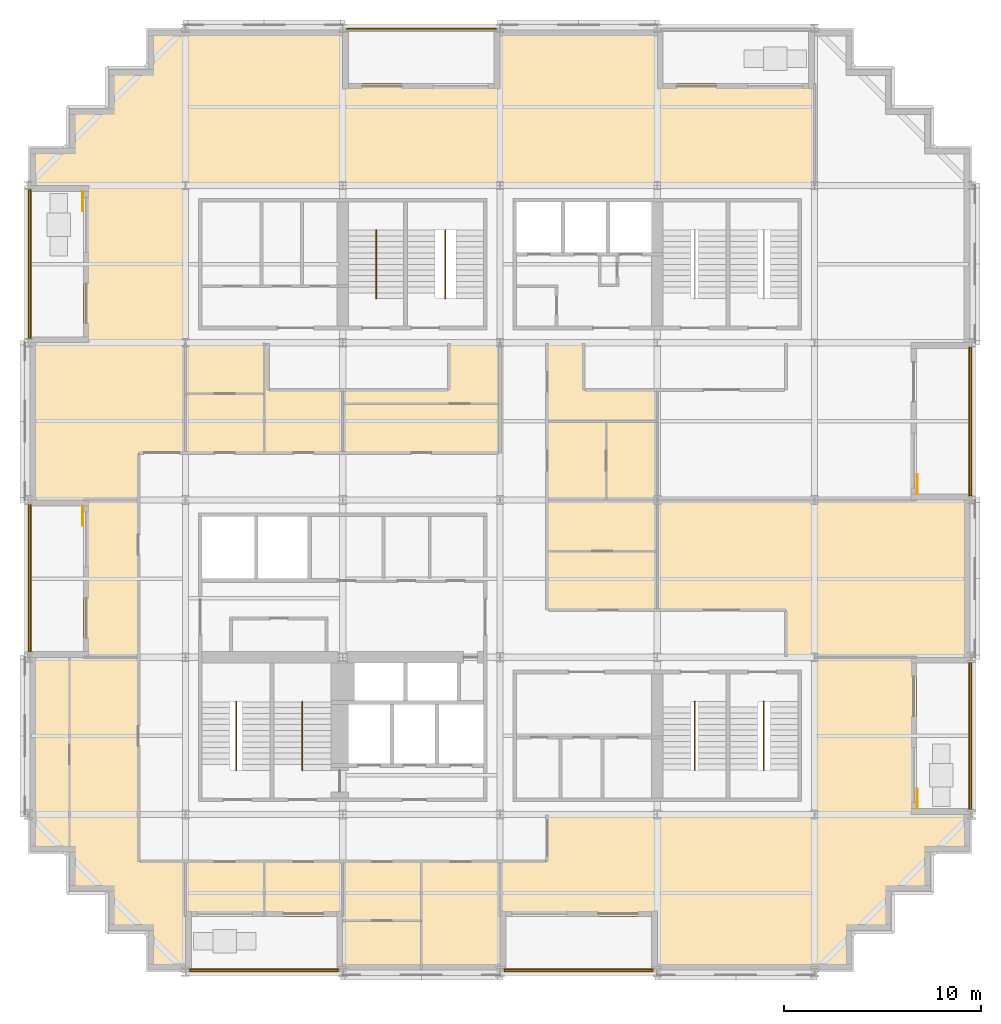
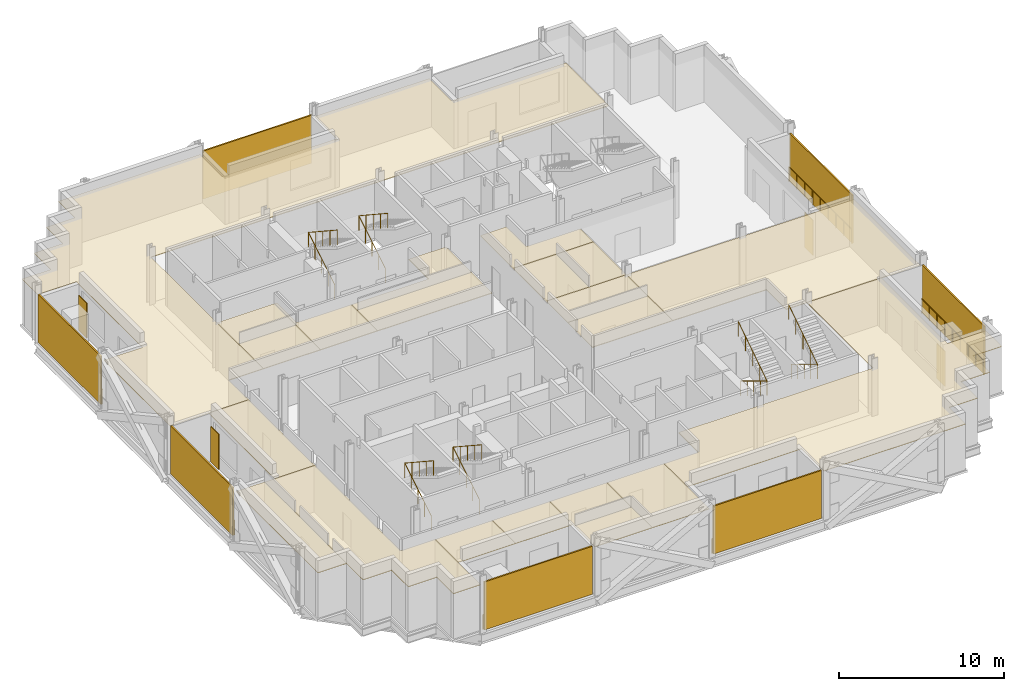
# One storey, part 11 of 13: 21 coverings, 12 railings, 11 shading devices.
"""IFC4 building model written with IfcOpenShell, lengths in metres."""

from ifc_helpers import new_model, si_unit, direction, frame, origin, origin_2d, place, context, subcontext, project, spatial, polyline, rectangle, circle, outline, extrude, material, layer, layer_set, type_object, element, save


model = new_model("IFC4")

# Units and contexts
model_context = context("Model", 3, precision=1e-05, world=origin(), true_north=direction((0.0, 1.0)))
body_context = subcontext(model_context, "Body", "Model", "MODEL_VIEW")
ifc_project = project(units=[si_unit("LENGTHUNIT", "METRE"), si_unit("AREAUNIT", "SQUARE_METRE"), si_unit("VOLUMEUNIT", "CUBIC_METRE"), si_unit("PLANEANGLEUNIT", "RADIAN"), si_unit("MASSUNIT", "GRAM", prefix="KILO")], contexts=[model_context])

# Site, building, storey
site_placement = place(None, origin())
site = spatial("IfcSite", under=ifc_project, at=site_placement, CompositionType="ELEMENT")
building_placement = place(site_placement, origin())
building = spatial("IfcBuilding", under=site, at=building_placement, Name="Immortelle Media Tower", CompositionType="ELEMENT")
storey_placement = place(building_placement, frame((0.0, 0.0, 34.800048828125)))
storey = spatial("IfcBuildingStorey", under=building, at=storey_placement, Name="L04", CompositionType="ELEMENT", Elevation=34.800048828125)

# Railings
ifc_material_1 = material(Name="Powder-coated aluminium fretwork panel, laminated glass backing", Category="aluminium")
railing_type_1 = type_object("IfcRailingType", Name="Fretwork balustrade 1100", PredefinedType="BALUSTRADE", material=ifc_material_1)
railing_1_placement = place(storey_placement, frame((0.139892578125, 39.79150390625, 0.0)))
element("IfcRailing", 1, at=railing_1_placement, inside=storey, type_object=railing_type_1, Name="Fretwork balustrade L04 W0", PredefinedType="BALUSTRADE", context=body_context, shape_type="SweptSolid", body=[
    extrude(circle(Radius=0.02490234375, at=origin_2d()), frame((0.0, 0.0, 1.0751953125), z_axis=(0.0, -1.0, 0.0), x_axis=(1.0, 0.0, 0.0)), (0.0, 0.0, 1.0), 7.574462890625),
    extrude(circle(Radius=0.02001953125, at=origin_2d()), origin(), (0.0, 0.0, 1.0), 1.050048828125),
    extrude(circle(Radius=0.02001953125, at=origin_2d()), frame((0.0, -0.94677734375, 0.0)), (0.0, 0.0, 1.0), 1.050048828125),
    extrude(circle(Radius=0.02001953125, at=origin_2d()), frame((0.0, -1.8935546875, 0.0)), (0.0, 0.0, 1.0), 1.050048828125),
    extrude(circle(Radius=0.02001953125, at=origin_2d()), frame((0.0, -2.84033203125, 0.0)), (0.0, 0.0, 1.0), 1.050048828125),
    extrude(circle(Radius=0.02001953125, at=origin_2d()), frame((0.0, -3.787109375, 0.0)), (0.0, 0.0, 1.0), 1.050048828125),
    extrude(circle(Radius=0.02001953125, at=origin_2d()), frame((0.0, -4.734130859375, 0.0)), (0.0, 0.0, 1.0), 1.050048828125),
    extrude(circle(Radius=0.02001953125, at=origin_2d()), frame((0.0, -5.680908203125, 0.0)), (0.0, 0.0, 1.0), 1.050048828125),
    extrude(circle(Radius=0.02001953125, at=origin_2d()), frame((0.0, -6.627685546875, 0.0)), (0.0, 0.0, 1.0), 1.050048828125),
    extrude(circle(Radius=0.02001953125, at=origin_2d()), frame((0.0, -7.574462890625, 0.0)), (0.0, 0.0, 1.0), 1.050048828125),
])
railing_2_placement = place(storey_placement, frame((0.139892578125, 23.782958984375, 0.0)))
element("IfcRailing", 2, at=railing_2_placement, inside=storey, type_object=railing_type_1, Name="Fretwork balustrade L04 W2", PredefinedType="BALUSTRADE", context=body_context, shape_type="SweptSolid", body=[
    extrude(circle(Radius=0.02490234375, at=origin_2d()), frame((0.0, 0.0, 1.0751953125), z_axis=(0.0, -1.0, 0.0), x_axis=(1.0, 0.0, 0.0)), (0.0, 0.0, 1.0), 7.517578125),
    extrude(circle(Radius=0.02001953125, at=origin_2d()), origin(), (0.0, 0.0, 1.0), 1.050048828125),
    extrude(circle(Radius=0.02001953125, at=origin_2d()), frame((0.0, -0.939697265625, 0.0)), (0.0, 0.0, 1.0), 1.050048828125),
    extrude(circle(Radius=0.02001953125, at=origin_2d()), frame((0.0, -1.87939453125, 0.0)), (0.0, 0.0, 1.0), 1.050048828125),
    extrude(circle(Radius=0.02001953125, at=origin_2d()), frame((0.0, -2.819091796875, 0.0)), (0.0, 0.0, 1.0), 1.050048828125),
    extrude(circle(Radius=0.02001953125, at=origin_2d()), frame((0.0, -3.7587890625, 0.0)), (0.0, 0.0, 1.0), 1.050048828125),
    extrude(circle(Radius=0.02001953125, at=origin_2d()), frame((0.0, -4.698486328125, 0.0)), (0.0, 0.0, 1.0), 1.050048828125),
    extrude(circle(Radius=0.02001953125, at=origin_2d()), frame((0.0, -5.63818359375, 0.0)), (0.0, 0.0, 1.0), 1.050048828125),
    extrude(circle(Radius=0.02001953125, at=origin_2d()), frame((0.0, -6.577880859375, 0.0)), (0.0, 0.0, 1.0), 1.050048828125),
    extrude(circle(Radius=0.02001953125, at=origin_2d()), frame((0.0, -7.517578125, 0.0)), (0.0, 0.0, 1.0), 1.050048828125),
])
railing_3_placement = place(storey_placement, frame((8.216064453125, 0.139892578125, 0.0)))
element("IfcRailing", 3, at=railing_3_placement, inside=storey, type_object=railing_type_1, Name="Fretwork balustrade L04 S0", PredefinedType="BALUSTRADE", context=body_context, shape_type="SweptSolid", body=[
    extrude(circle(Radius=0.02490234375, at=origin_2d()), frame((0.0, 0.0, 1.0751953125), z_axis=(1.0, 0.0, 0.0), x_axis=(0.0, 1.0, 0.0)), (0.0, 0.0, 1.0), 7.56298828125),
    extrude(circle(Radius=0.02001953125, at=origin_2d()), origin(), (0.0, 0.0, 1.0), 1.050048828125),
    extrude(circle(Radius=0.02001953125, at=origin_2d()), frame((0.9453125, 0.0, 0.0)), (0.0, 0.0, 1.0), 1.050048828125),
    extrude(circle(Radius=0.02001953125, at=origin_2d()), frame((1.890625, 0.0, 0.0)), (0.0, 0.0, 1.0), 1.050048828125),
    extrude(circle(Radius=0.02001953125, at=origin_2d()), frame((2.836181640625, 0.0, 0.0)), (0.0, 0.0, 1.0), 1.050048828125),
    extrude(circle(Radius=0.02001953125, at=origin_2d()), frame((3.781494140625, 0.0, 0.0)), (0.0, 0.0, 1.0), 1.050048828125),
    extrude(circle(Radius=0.02001953125, at=origin_2d()), frame((4.726806640625, 0.0, 0.0)), (0.0, 0.0, 1.0), 1.050048828125),
    extrude(circle(Radius=0.02001953125, at=origin_2d()), frame((5.67236328125, 0.0, 0.0)), (0.0, 0.0, 1.0), 1.050048828125),
    extrude(circle(Radius=0.02001953125, at=origin_2d()), frame((6.61767578125, 0.0, 0.0)), (0.0, 0.0, 1.0), 1.050048828125),
    extrude(circle(Radius=0.02001953125, at=origin_2d()), frame((7.56298828125, 0.0, 0.0)), (0.0, 0.0, 1.0), 1.050048828125),
])
railing_4_placement = place(storey_placement, frame((24.220947265625, 0.139892578125, 0.0)))
element("IfcRailing", 4, at=railing_4_placement, inside=storey, type_object=railing_type_1, Name="Fretwork balustrade L04 S2", PredefinedType="BALUSTRADE", context=body_context, shape_type="SweptSolid", body=[
    extrude(circle(Radius=0.02490234375, at=origin_2d()), frame((0.0, 0.0, 1.0751953125), z_axis=(1.0, 0.0, 0.0), x_axis=(0.0, 1.0, 0.0)), (0.0, 0.0, 1.0), 7.55810546875),
    extrude(circle(Radius=0.02001953125, at=origin_2d()), origin(), (0.0, 0.0, 1.0), 1.050048828125),
    extrude(circle(Radius=0.02001953125, at=origin_2d()), frame((0.94482421875, 0.0, 0.0)), (0.0, 0.0, 1.0), 1.050048828125),
    extrude(circle(Radius=0.02001953125, at=origin_2d()), frame((1.8896484375, 0.0, 0.0)), (0.0, 0.0, 1.0), 1.050048828125),
    extrude(circle(Radius=0.02001953125, at=origin_2d()), frame((2.834228515625, 0.0, 0.0)), (0.0, 0.0, 1.0), 1.050048828125),
    extrude(circle(Radius=0.02001953125, at=origin_2d()), frame((3.779052734375, 0.0, 0.0)), (0.0, 0.0, 1.0), 1.050048828125),
    extrude(circle(Radius=0.02001953125, at=origin_2d()), frame((4.723876953125, 0.0, 0.0)), (0.0, 0.0, 1.0), 1.050048828125),
    extrude(circle(Radius=0.02001953125, at=origin_2d()), frame((5.66845703125, 0.0, 0.0)), (0.0, 0.0, 1.0), 1.050048828125),
    extrude(circle(Radius=0.02001953125, at=origin_2d()), frame((6.61328125, 0.0, 0.0)), (0.0, 0.0, 1.0), 1.050048828125),
    extrude(circle(Radius=0.02001953125, at=origin_2d()), frame((7.55810546875, 0.0, 0.0)), (0.0, 0.0, 1.0), 1.050048828125),
])
railing_5_placement = place(storey_placement, frame((47.860107421875, 8.2490234375, 0.0)))
element("IfcRailing", 5, at=railing_5_placement, inside=storey, type_object=railing_type_1, Name="Fretwork balustrade L04 E0", PredefinedType="BALUSTRADE", context=body_context, shape_type="SweptSolid", body=[
    extrude(circle(Radius=0.02490234375, at=origin_2d()), frame((0.0, 0.0, 1.0751953125), z_axis=(0.0, 1.0, 0.0), x_axis=(-1.0, 0.0, 0.0)), (0.0, 0.0, 1.0), 7.485595703125),
    extrude(circle(Radius=0.02001953125, at=origin_2d()), origin(), (0.0, 0.0, 1.0), 1.050048828125),
    extrude(circle(Radius=0.02001953125, at=origin_2d()), frame((0.0, 0.935791015625, 0.0)), (0.0, 0.0, 1.0), 1.050048828125),
    extrude(circle(Radius=0.02001953125, at=origin_2d()), frame((0.0, 1.871337890625, 0.0)), (0.0, 0.0, 1.0), 1.050048828125),
    extrude(circle(Radius=0.02001953125, at=origin_2d()), frame((0.0, 2.80712890625, 0.0)), (0.0, 0.0, 1.0), 1.050048828125),
    extrude(circle(Radius=0.02001953125, at=origin_2d()), frame((0.0, 3.74267578125, 0.0)), (0.0, 0.0, 1.0), 1.050048828125),
    extrude(circle(Radius=0.02001953125, at=origin_2d()), frame((0.0, 4.678466796875, 0.0)), (0.0, 0.0, 1.0), 1.050048828125),
    extrude(circle(Radius=0.02001953125, at=origin_2d()), frame((0.0, 5.6142578125, 0.0)), (0.0, 0.0, 1.0), 1.050048828125),
    extrude(circle(Radius=0.02001953125, at=origin_2d()), frame((0.0, 6.5498046875, 0.0)), (0.0, 0.0, 1.0), 1.050048828125),
    extrude(circle(Radius=0.02001953125, at=origin_2d()), frame((0.0, 7.485595703125, 0.0)), (0.0, 0.0, 1.0), 1.050048828125),
])
railing_6_placement = place(storey_placement, frame((47.860107421875, 24.20849609375, 0.0)))
element("IfcRailing", 6, at=railing_6_placement, inside=storey, type_object=railing_type_1, Name="Fretwork balustrade L04 E2", PredefinedType="BALUSTRADE", context=body_context, shape_type="SweptSolid", body=[
    extrude(circle(Radius=0.02490234375, at=origin_2d()), frame((0.0, 0.0, 1.0751953125), z_axis=(0.0, 1.0, 0.0), x_axis=(-1.0, 0.0, 0.0)), (0.0, 0.0, 1.0), 7.5830078125),
    extrude(circle(Radius=0.02001953125, at=origin_2d()), origin(), (0.0, 0.0, 1.0), 1.050048828125),
    extrude(circle(Radius=0.02001953125, at=origin_2d()), frame((0.0, 0.94775390625, 0.0)), (0.0, 0.0, 1.0), 1.050048828125),
    extrude(circle(Radius=0.02001953125, at=origin_2d()), frame((0.0, 1.895751953125, 0.0)), (0.0, 0.0, 1.0), 1.050048828125),
    extrude(circle(Radius=0.02001953125, at=origin_2d()), frame((0.0, 2.84375, 0.0)), (0.0, 0.0, 1.0), 1.050048828125),
    extrude(circle(Radius=0.02001953125, at=origin_2d()), frame((0.0, 3.79150390625, 0.0)), (0.0, 0.0, 1.0), 1.050048828125),
    extrude(circle(Radius=0.02001953125, at=origin_2d()), frame((0.0, 4.7392578125, 0.0)), (0.0, 0.0, 1.0), 1.050048828125),
    extrude(circle(Radius=0.02001953125, at=origin_2d()), frame((0.0, 5.687255859375, 0.0)), (0.0, 0.0, 1.0), 1.050048828125),
    extrude(circle(Radius=0.02001953125, at=origin_2d()), frame((0.0, 6.63525390625, 0.0)), (0.0, 0.0, 1.0), 1.050048828125),
    extrude(circle(Radius=0.02001953125, at=origin_2d()), frame((0.0, 7.5830078125, 0.0)), (0.0, 0.0, 1.0), 1.050048828125),
])

# Shading devices
ifc_material_2 = material(Name="Pale aluminium louvre blades", Category="aluminium")
ifc_layer_1 = layer(ifc_material_2, 0.10009765625)
ifc_layer_set_1 = layer_set([ifc_layer_1], Name="Pale aluminium louvre blades")
shading_device_type_1 = type_object("IfcShadingDeviceType", Name="Jalousie screen 100", PredefinedType="JALOUSIE", material=ifc_layer_set_1)
shading_device_1_placement = place(storey_placement, frame((0.050048828125, 36.004150390625, 0.0), z_axis=(0.0, 0.0, 1.0), x_axis=(0.0, -1.0, 0.0)))
element("IfcShadingDevice", 7, at=shading_device_1_placement, inside=storey, type_object=shading_device_type_1, Name="Jalousie screen L04 W0", PredefinedType="JALOUSIE", context=body_context, shape_type="SweptSolid", body=[
    extrude(rectangle(XDim=7.574462890625, YDim=0.10009765625, at=origin_2d()), origin(), (0.0, 0.0, 1.0), 3.553955078125),
])
shading_device_2_placement = place(storey_placement, frame((0.050048828125, 20.024169921875, 0.0), z_axis=(0.0, 0.0, 1.0), x_axis=(0.0, -1.0, 0.0)))
element("IfcShadingDevice", 8, at=shading_device_2_placement, inside=storey, type_object=shading_device_type_1, Name="Jalousie screen L04 W2", PredefinedType="JALOUSIE", context=body_context, shape_type="SweptSolid", body=[
    extrude(rectangle(XDim=7.517578125, YDim=0.10009765625, at=origin_2d()), origin(), (0.0, 0.0, 1.0), 3.553955078125),
])
shading_device_3_placement = place(storey_placement, frame((11.99755859375, 0.050048828125, 0.0), z_axis=(0.0, 0.0, 1.0), x_axis=(1.0, 0.0, 0.0)))
element("IfcShadingDevice", 9, at=shading_device_3_placement, inside=storey, type_object=shading_device_type_1, Name="Jalousie screen L04 S0", PredefinedType="JALOUSIE", context=body_context, shape_type="SweptSolid", body=[
    extrude(rectangle(XDim=7.56298828125, YDim=0.10009765625, at=origin_2d()), origin(), (0.0, 0.0, 1.0), 3.553955078125),
])
shading_device_4_placement = place(storey_placement, frame((28.0, 0.050048828125, 0.0), z_axis=(0.0, 0.0, 1.0), x_axis=(1.0, 0.0, 0.0)))
element("IfcShadingDevice", 10, at=shading_device_4_placement, inside=storey, type_object=shading_device_type_1, Name="Jalousie screen L04 S2", PredefinedType="JALOUSIE", context=body_context, shape_type="SweptSolid", body=[
    extrude(rectangle(XDim=7.55810546875, YDim=0.10009765625, at=origin_2d()), origin(), (0.0, 0.0, 1.0), 3.553955078125),
])
shading_device_5_placement = place(storey_placement, frame((47.949951171875, 11.99169921875, 0.0), z_axis=(0.0, 0.0, 1.0), x_axis=(0.0, 1.0, 0.0)))
element("IfcShadingDevice", 11, at=shading_device_5_placement, inside=storey, type_object=shading_device_type_1, Name="Jalousie screen L04 E0", PredefinedType="JALOUSIE", context=body_context, shape_type="SweptSolid", body=[
    extrude(rectangle(XDim=7.485595703125, YDim=0.10009765625, at=origin_2d()), origin(), (0.0, 0.0, 1.0), 3.553955078125),
])
shading_device_6_placement = place(storey_placement, frame((47.949951171875, 28.0, 0.0), z_axis=(0.0, 0.0, 1.0), x_axis=(0.0, 1.0, 0.0)))
element("IfcShadingDevice", 12, at=shading_device_6_placement, inside=storey, type_object=shading_device_type_1, Name="Jalousie screen L04 E2", PredefinedType="JALOUSIE", context=body_context, shape_type="SweptSolid", body=[
    extrude(rectangle(XDim=7.5830078125, YDim=0.10009765625, at=origin_2d()), origin(), (0.0, 0.0, 1.0), 3.553955078125),
])
shading_device_7_placement = place(storey_placement, frame((20.001220703125, 47.949951171875, 0.0), z_axis=(0.0, 0.0, 1.0), x_axis=(-1.0, 0.0, 0.0)))
element("IfcShadingDevice", 13, at=shading_device_7_placement, inside=storey, type_object=shading_device_type_1, Name="Jalousie screen L04 N2", PredefinedType="JALOUSIE", context=body_context, shape_type="SweptSolid", body=[
    extrude(rectangle(XDim=7.591552734375, YDim=0.10009765625, at=origin_2d()), origin(), (0.0, 0.0, 1.0), 3.553955078125),
])
ifc_material_3 = material(Name="Pale aluminium louvre blades in a folding frame", Category="aluminium")
ifc_layer_2 = layer(ifc_material_3, 0.050048828125)
ifc_layer_set_2 = layer_set([ifc_layer_2], Name="Pale aluminium louvre blades in a folding frame")
shading_device_type_2 = type_object("IfcShadingDeviceType", Name="Louvred loggia shutter", PredefinedType="SHUTTER", material=ifc_layer_set_2)
for number, where, z_axis, x_axis, name in (
    (14, (2.77490234375, 39.199951171875, 0.0), (0.0, 0.0, 1.0), (0.0, -1.0, 0.0), "Loggia shutter L04 W0"),
    (15, (2.77490234375, 23.199951171875, 0.0), (0.0, 0.0, 1.0), (0.0, -1.0, 0.0), "Loggia shutter L04 W2"),
    (16, (45.22509765625, 8.800048828125, 0.0), (0.0, 0.0, 1.0), (0.0, 1.0, 0.0), "Loggia shutter L04 E0"),
    (17, (45.22509765625, 24.800048828125, 0.0), (0.0, 0.0, 1.0), (0.0, 1.0, 0.0), "Loggia shutter L04 E2"),
):
    element("IfcShadingDevice", number, at=place(storey_placement, frame(where, z_axis=z_axis, x_axis=x_axis)), inside=storey, type_object=shading_device_type_2, Name=name, PredefinedType="SHUTTER", context=body_context, shape_type="SweptSolid", body=[
        extrude(rectangle(XDim=1.0, YDim=0.050048828125, at=origin_2d()), origin(), (0.0, 0.0, 1.0), 2.60009765625),
    ])

# Railings
ifc_material_4 = material(Name="Stainless steel AISI 316", Category="steel")
railing_type_2 = type_object("IfcRailingType", Name="Stair guard 1100", PredefinedType="GUARDRAIL", material=ifc_material_4)
for number, where, name in (
    (18, (10.574951171875, 10.5400390625, 0.176025390625), "Stair guard SW1"),
    (19, (13.949951171875, 10.5400390625, 0.176025390625), "Stair guard SW2"),
):
    element("IfcRailing", number, at=place(storey_placement, frame(where)), inside=storey, type_object=railing_type_2, Name=name, PredefinedType="GUARDRAIL", context=body_context, shape_type="SweptSolid", body=[
        extrude(circle(Radius=0.02392578125, at=origin_2d()), frame((0.0, 0.0, 1.076171875), z_axis=(0.0, 0.854872504309, 0.518838126371), x_axis=(-1.0, 0.0, 0.0)), (0.0, 0.0, 1.0), 3.7314453125),
        extrude(circle(Radius=0.02392578125, at=origin_2d()), frame((0.0, 3.18994140625, 3.01220703125), z_axis=(0.0, -0.835595538677, 0.549345151743), x_axis=(1.0, 0.0, 0.0)), (0.0, 0.0, 1.0), 4.16455078125),
        extrude(circle(Radius=0.02099609375, at=origin_2d()), origin(), (0.0, 0.0, 1.0), 1.052001953125),
        extrude(circle(Radius=0.02099609375, at=origin_2d()), frame((0.0, 0.79736328125, 0.48388671875)), (0.0, 0.0, 1.0), 1.052001953125),
        extrude(circle(Radius=0.02099609375, at=origin_2d()), frame((0.0, 1.594970703125, 0.968017578125)), (0.0, 0.0, 1.0), 1.052001953125),
        extrude(circle(Radius=0.02099609375, at=origin_2d()), frame((0.0, 2.392578125, 1.4521484375)), (0.0, 0.0, 1.0), 1.052001953125),
        extrude(circle(Radius=0.02099609375, at=origin_2d()), frame((0.0, 3.18994140625, 1.93603515625)), (0.0, 0.0, 1.0), 1.052001953125),
        extrude(circle(Radius=0.02099609375, at=origin_2d()), frame((0.0, 2.31982421875, 2.508056640625)), (0.0, 0.0, 1.0), 1.052001953125),
        extrude(circle(Radius=0.02099609375, at=origin_2d()), frame((0.0, 1.449951171875, 3.080078125)), (0.0, 0.0, 1.0), 1.052001953125),
        extrude(circle(Radius=0.02099609375, at=origin_2d()), frame((0.0, 0.580078125, 3.65185546875)), (0.0, 0.0, 1.0), 1.052001953125),
        extrude(circle(Radius=0.02099609375, at=origin_2d()), frame((0.0, -0.2900390625, 4.223876953125)), (0.0, 0.0, 1.0), 1.052001953125),
    ])
for number, where, name in (
    (20, (33.89990234375, 13.4599609375, 0.176025390625), "Stair guard SE1"),
    (21, (37.425048828125, 13.4599609375, 0.176025390625), "Stair guard SE2"),
):
    element("IfcRailing", number, at=place(storey_placement, frame(where)), inside=storey, type_object=railing_type_2, Name=name, PredefinedType="GUARDRAIL", context=body_context, shape_type="SweptSolid", body=[
        extrude(circle(Radius=0.02392578125, at=origin_2d()), frame((0.0, 0.0, 1.076171875), z_axis=(0.0, -0.854872504309, 0.518838126371), x_axis=(1.0, 0.0, 0.0)), (0.0, 0.0, 1.0), 3.7314453125),
        extrude(circle(Radius=0.02392578125, at=origin_2d()), frame((0.0, -3.18994140625, 3.01220703125), z_axis=(0.0, 0.835595538677, 0.549345151743), x_axis=(-1.0, 0.0, 0.0)), (0.0, 0.0, 1.0), 4.16455078125),
        extrude(circle(Radius=0.02099609375, at=origin_2d()), origin(), (0.0, 0.0, 1.0), 1.052001953125),
        extrude(circle(Radius=0.02099609375, at=origin_2d()), frame((0.0, -0.79736328125, 0.48388671875)), (0.0, 0.0, 1.0), 1.052001953125),
        extrude(circle(Radius=0.02099609375, at=origin_2d()), frame((0.0, -1.594970703125, 0.968017578125)), (0.0, 0.0, 1.0), 1.052001953125),
        extrude(circle(Radius=0.02099609375, at=origin_2d()), frame((0.0, -2.392578125, 1.4521484375)), (0.0, 0.0, 1.0), 1.052001953125),
        extrude(circle(Radius=0.02099609375, at=origin_2d()), frame((0.0, -3.18994140625, 1.93603515625)), (0.0, 0.0, 1.0), 1.052001953125),
        extrude(circle(Radius=0.02099609375, at=origin_2d()), frame((0.0, -2.31982421875, 2.508056640625)), (0.0, 0.0, 1.0), 1.052001953125),
        extrude(circle(Radius=0.02099609375, at=origin_2d()), frame((0.0, -1.449951171875, 3.080078125)), (0.0, 0.0, 1.0), 1.052001953125),
        extrude(circle(Radius=0.02099609375, at=origin_2d()), frame((0.0, -0.580078125, 3.65185546875)), (0.0, 0.0, 1.0), 1.052001953125),
        extrude(circle(Radius=0.02099609375, at=origin_2d()), frame((0.0, 0.2900390625, 4.223876953125)), (0.0, 0.0, 1.0), 1.052001953125),
    ])
for number, where, name in (
    (22, (17.699951171875, 34.5400390625, 0.176025390625), "Stair guard NW1"),
    (23, (21.22509765625, 34.5400390625, 0.176025390625), "Stair guard NW2"),
):
    element("IfcRailing", number, at=place(storey_placement, frame(where)), inside=storey, type_object=railing_type_2, Name=name, PredefinedType="GUARDRAIL", context=body_context, shape_type="SweptSolid", body=[
        extrude(circle(Radius=0.02392578125, at=origin_2d()), frame((0.0, 0.0, 1.076171875), z_axis=(0.0, 0.854872504309, 0.518838126371), x_axis=(-1.0, 0.0, 0.0)), (0.0, 0.0, 1.0), 3.7314453125),
        extrude(circle(Radius=0.02392578125, at=origin_2d()), frame((0.0, 3.18994140625, 3.01220703125), z_axis=(0.0, -0.835595538677, 0.549345151743), x_axis=(1.0, 0.0, 0.0)), (0.0, 0.0, 1.0), 4.16455078125),
        extrude(circle(Radius=0.02099609375, at=origin_2d()), origin(), (0.0, 0.0, 1.0), 1.052001953125),
        extrude(circle(Radius=0.02099609375, at=origin_2d()), frame((0.0, 0.79736328125, 0.48388671875)), (0.0, 0.0, 1.0), 1.052001953125),
        extrude(circle(Radius=0.02099609375, at=origin_2d()), frame((0.0, 1.594970703125, 0.968017578125)), (0.0, 0.0, 1.0), 1.052001953125),
        extrude(circle(Radius=0.02099609375, at=origin_2d()), frame((0.0, 2.392578125, 1.4521484375)), (0.0, 0.0, 1.0), 1.052001953125),
        extrude(circle(Radius=0.02099609375, at=origin_2d()), frame((0.0, 3.18994140625, 1.93603515625)), (0.0, 0.0, 1.0), 1.052001953125),
        extrude(circle(Radius=0.02099609375, at=origin_2d()), frame((0.0, 2.31982421875, 2.508056640625)), (0.0, 0.0, 1.0), 1.052001953125),
        extrude(circle(Radius=0.02099609375, at=origin_2d()), frame((0.0, 1.449951171875, 3.080078125)), (0.0, 0.0, 1.0), 1.052001953125),
        extrude(circle(Radius=0.02099609375, at=origin_2d()), frame((0.0, 0.580078125, 3.65185546875)), (0.0, 0.0, 1.0), 1.052001953125),
        extrude(circle(Radius=0.02099609375, at=origin_2d()), frame((0.0, -0.2900390625, 4.223876953125)), (0.0, 0.0, 1.0), 1.052001953125),
    ])

# Coverings
ifc_material_5 = material(Name="Mineral fibre tile ceiling")
ifc_layer_3 = layer(ifc_material_5, 0.050048828125)
ifc_layer_set_3 = layer_set([ifc_layer_3], Name="Mineral fibre tile ceiling")
covering_type = type_object("IfcCoveringType", Name="Suspended ceiling 50", PredefinedType="CEILING", material=ifc_layer_set_3)
covering_1_placement = place(storey_placement, frame((0.0, 0.0, 3.341064453125)))
element("IfcCovering", 24, at=covering_1_placement, inside=storey, type_object=covering_type, Name="Ceiling L04-001", PredefinedType="CEILING", context=body_context, shape_type="SweptSolid", body=[
    extrude(outline(polyline([(16.0, 5.60009765625), (20.0, 5.60009765625), (20.0, 2.60009765625), (16.0, 2.60009765625), (16.0, 2.800048828125), (16.0, 5.60009765625)])), origin(), (0.0, 0.0, 1.0), 0.0498046875),
])
covering_2_placement = place(storey_placement, frame((0.0, 0.0, 3.341064453125)))
element("IfcCovering", 25, at=covering_2_placement, inside=storey, type_object=covering_type, Name="Ceiling L04-002", PredefinedType="CEILING", context=body_context, shape_type="SweptSolid", body=[
    extrude(outline(polyline([(20.0, 0.10009765625), (16.0, 0.10009765625), (16.0, 2.60009765625), (20.0, 2.60009765625), (20.0, 0.10009765625)])), origin(), (0.0, 0.0, 1.0), 0.0498046875),
])
covering_3_placement = place(storey_placement, frame((0.0, 0.0, 3.341064453125)))
element("IfcCovering", 26, at=covering_3_placement, inside=storey, type_object=covering_type, Name="Ceiling L04-003", PredefinedType="CEILING", context=body_context, shape_type="SweptSolid", body=[
    extrude(outline(polyline([(24.0, 5.60009765625), (24.0, 2.800048828125), (24.0, 0.10009765625), (20.0, 0.10009765625), (20.0, 5.60009765625), (24.0, 5.60009765625)])), origin(), (0.0, 0.0, 1.0), 0.0498046875),
])
covering_4_placement = place(storey_placement, frame((0.0, 0.0, 3.341064453125)))
element("IfcCovering", 27, at=covering_4_placement, inside=storey, type_object=covering_type, Name="Ceiling L04-004", PredefinedType="CEILING", context=body_context, shape_type="SweptSolid", body=[
    extrude(outline(polyline([(8.0, 5.60009765625), (12.0, 5.60009765625), (12.0, 2.800048828125), (8.0, 2.800048828125), (8.0, 5.60009765625)])), origin(), (0.0, 0.0, 1.0), 0.0498046875),
])
covering_5_placement = place(storey_placement, frame((0.0, 0.0, 3.341064453125)))
element("IfcCovering", 28, at=covering_5_placement, inside=storey, type_object=covering_type, Name="Ceiling L04-005", PredefinedType="CEILING", context=body_context, shape_type="SweptSolid", body=[
    extrude(outline(polyline([(16.0, 5.60009765625), (16.0, 2.800048828125), (12.0, 2.800048828125), (12.0, 5.60009765625), (16.0, 5.60009765625)])), origin(), (0.0, 0.0, 1.0), 0.0498046875),
])
covering_6_placement = place(storey_placement, frame((0.0, 0.0, 3.341064453125)))
element("IfcCovering", 29, at=covering_6_placement, inside=storey, type_object=covering_type, Name="Ceiling L04-006", PredefinedType="CEILING", context=body_context, shape_type="SweptSolid", body=[
    extrude(outline(polyline([(24.0, 5.60009765625), (26.39990234375, 5.60009765625), (26.39990234375, 8.0), (32.0, 8.0), (40.0, 8.0), (40.0, 16.0), (45.199951171875, 16.0), (45.199951171875, 8.0), (47.89990234375, 8.0), (47.89990234375, 6.10009765625), (45.89990234375, 6.10009765625), (45.89990234375, 4.10009765625), (43.89990234375, 4.10009765625), (43.89990234375, 2.10009765625), (41.89990234375, 2.10009765625), (41.89990234375, 0.10009765625), (40.0, 0.10009765625), (32.0, 0.10009765625), (32.0, 2.800048828125), (24.0, 2.800048828125), (24.0, 5.60009765625)])), origin(), (0.0, 0.0, 1.0), 0.0498046875),
])
covering_7_placement = place(storey_placement, frame((0.0, 0.0, 3.341064453125)))
element("IfcCovering", 30, at=covering_7_placement, inside=storey, type_object=covering_type, Name="Ceiling L04-007", PredefinedType="CEILING", context=body_context, shape_type="SweptSolid", body=[
    extrude(outline(polyline([(4.10009765625, 4.10009765625), (2.10009765625, 4.10009765625), (2.10009765625, 6.10009765625), (2.10009765625, 16.0), (2.800048828125, 16.0), (5.60009765625, 16.0), (5.60009765625, 8.0), (5.60009765625, 5.60009765625), (8.0, 5.60009765625), (8.0, 4.0), (8.0, 2.800048828125), (8.0, 0.10009765625), (6.10009765625, 0.10009765625), (6.10009765625, 2.10009765625), (4.10009765625, 2.10009765625), (4.10009765625, 4.0), (4.10009765625, 4.10009765625)])), origin(), (0.0, 0.0, 1.0), 0.0498046875),
])
covering_8_placement = place(storey_placement, frame((0.0, 0.0, 3.341064453125)))
element("IfcCovering", 31, at=covering_8_placement, inside=storey, type_object=covering_type, Name="Ceiling L04-008", PredefinedType="CEILING", context=body_context, shape_type="SweptSolid", body=[
    extrude(outline(polyline([(0.10009765625, 6.10009765625), (0.10009765625, 8.0), (0.10009765625, 16.0), (2.10009765625, 16.0), (2.10009765625, 6.10009765625), (0.10009765625, 6.10009765625)])), origin(), (0.0, 0.0, 1.0), 0.0498046875),
])
covering_9_placement = place(storey_placement, frame((0.0, 0.0, 3.341064453125)))
element("IfcCovering", 32, at=covering_9_placement, inside=storey, type_object=covering_type, Name="Ceiling L04-009", PredefinedType="CEILING", context=body_context, shape_type="SweptSolid", body=[
    extrude(outline(polyline([(5.60009765625, 19.449951171875), (5.60009765625, 16.0), (2.800048828125, 16.0), (2.800048828125, 24.0), (5.60009765625, 24.0), (5.60009765625, 19.449951171875)])), origin(), (0.0, 0.0, 1.0), 0.0498046875),
])
covering_10_placement = place(storey_placement, frame((0.0, 0.0, 3.341064453125)))
element("IfcCovering", 33, at=covering_10_placement, inside=storey, type_object=covering_type, Name="Ceiling L04-010", PredefinedType="CEILING", context=body_context, shape_type="SweptSolid", body=[
    extrude(outline(polyline([(38.550048828125, 16.0), (38.550048828125, 18.39990234375), (32.0, 18.39990234375), (32.0, 24.0), (40.0, 24.0), (45.199951171875, 24.0), (47.89990234375, 24.0), (47.89990234375, 16.0), (45.199951171875, 16.0), (40.0, 16.0), (38.550048828125, 16.0)])), origin(), (0.0, 0.0, 1.0), 0.0498046875),
])
covering_11_placement = place(storey_placement, frame((0.0, 0.0, 3.341064453125)))
element("IfcCovering", 34, at=covering_11_placement, inside=storey, type_object=covering_type, Name="Ceiling L04-011", PredefinedType="CEILING", context=body_context, shape_type="SweptSolid", body=[
    extrude(outline(polyline([(27.0, 18.39990234375), (26.39990234375, 18.39990234375), (26.39990234375, 19.550048828125), (26.39990234375, 21.39990234375), (32.0, 21.39990234375), (32.0, 18.39990234375), (27.0, 18.39990234375)])), origin(), (0.0, 0.0, 1.0), 0.0498046875),
])
covering_12_placement = place(storey_placement, frame((0.0, 0.0, 3.341064453125)))
element("IfcCovering", 35, at=covering_12_placement, inside=storey, type_object=covering_type, Name="Ceiling L04-012", PredefinedType="CEILING", context=body_context, shape_type="SweptSolid", body=[
    extrude(outline(polyline([(26.39990234375, 24.0), (32.0, 24.0), (32.0, 21.39990234375), (26.39990234375, 21.39990234375), (26.39990234375, 24.0)])), origin(), (0.0, 0.0, 1.0), 0.0498046875),
])
covering_13_placement = place(storey_placement, frame((0.0, 0.0, 3.341064453125)))
element("IfcCovering", 36, at=covering_13_placement, inside=storey, type_object=covering_type, Name="Ceiling L04-013", PredefinedType="CEILING", context=body_context, shape_type="SweptSolid", body=[
    extrude(outline(polyline([(29.39990234375, 28.0), (29.39990234375, 24.0), (26.39990234375, 24.0), (26.39990234375, 28.0), (29.39990234375, 28.0)])), origin(), (0.0, 0.0, 1.0), 0.0498046875),
])
covering_14_placement = place(storey_placement, frame((0.0, 0.0, 3.341064453125)))
element("IfcCovering", 37, at=covering_14_placement, inside=storey, type_object=covering_type, Name="Ceiling L04-014", PredefinedType="CEILING", context=body_context, shape_type="SweptSolid", body=[
    extrude(outline(polyline([(32.0, 28.0), (32.0, 24.0), (29.39990234375, 24.0), (29.39990234375, 28.0), (32.0, 28.0)])), origin(), (0.0, 0.0, 1.0), 0.0498046875),
])
covering_15_placement = place(storey_placement, frame((0.0, 0.0, 3.341064453125)))
element("IfcCovering", 38, at=covering_15_placement, inside=storey, type_object=covering_type, Name="Ceiling L04-015", PredefinedType="CEILING", context=body_context, shape_type="SweptSolid", body=[
    extrude(outline(polyline([(26.39990234375, 32.0), (28.25, 32.0), (28.25, 29.60009765625), (32.0, 29.60009765625), (32.0, 28.0), (26.39990234375, 28.0), (26.39990234375, 32.0)])), origin(), (0.0, 0.0, 1.0), 0.0498046875),
])
covering_16_placement = place(storey_placement, frame((0.0, 0.0, 3.341064453125)))
element("IfcCovering", 39, at=covering_16_placement, inside=storey, type_object=covering_type, Name="Ceiling L04-016", PredefinedType="CEILING", context=body_context, shape_type="SweptSolid", body=[
    extrude(outline(polyline([(16.0, 28.89990234375), (24.0, 28.89990234375), (24.0, 26.39990234375), (16.0, 26.39990234375), (16.0, 28.89990234375)])), origin(), (0.0, 0.0, 1.0), 0.0498046875),
])
covering_17_placement = place(storey_placement, frame((0.0, 0.0, 3.341064453125)))
element("IfcCovering", 40, at=covering_17_placement, inside=storey, type_object=covering_type, Name="Ceiling L04-017", PredefinedType="CEILING", context=body_context, shape_type="SweptSolid", body=[
    extrude(outline(polyline([(16.0, 29.60009765625), (21.39990234375, 29.60009765625), (21.39990234375, 32.0), (24.0, 32.0), (24.0, 28.89990234375), (16.0, 28.89990234375), (16.0, 29.60009765625)])), origin(), (0.0, 0.0, 1.0), 0.0498046875),
])
covering_18_placement = place(storey_placement, frame((0.0, 0.0, 3.341064453125)))
element("IfcCovering", 41, at=covering_18_placement, inside=storey, type_object=covering_type, Name="Ceiling L04-018", PredefinedType="CEILING", context=body_context, shape_type="SweptSolid", body=[
    extrude(outline(polyline([(12.0, 26.39990234375), (8.0, 26.39990234375), (8.0, 29.39990234375), (12.0, 29.39990234375), (12.0, 26.39990234375)])), origin(), (0.0, 0.0, 1.0), 0.0498046875),
])
covering_19_placement = place(storey_placement, frame((0.0, 0.0, 3.341064453125)))
element("IfcCovering", 42, at=covering_19_placement, inside=storey, type_object=covering_type, Name="Ceiling L04-019", PredefinedType="CEILING", context=body_context, shape_type="SweptSolid", body=[
    extrude(outline(polyline([(12.0, 32.0), (12.0, 29.39990234375), (8.0, 29.39990234375), (8.0, 32.0), (12.0, 32.0)])), origin(), (0.0, 0.0, 1.0), 0.0498046875),
])
covering_20_placement = place(storey_placement, frame((0.0, 0.0, 3.341064453125)))
element("IfcCovering", 43, at=covering_20_placement, inside=storey, type_object=covering_type, Name="Ceiling L04-020", PredefinedType="CEILING", context=body_context, shape_type="SweptSolid", body=[
    extrude(outline(polyline([(12.199951171875, 32.0), (12.199951171875, 29.60009765625), (16.0, 29.60009765625), (16.0, 26.39990234375), (12.0, 26.39990234375), (12.0, 32.0), (12.199951171875, 32.0)])), origin(), (0.0, 0.0, 1.0), 0.0498046875),
])
covering_21_placement = place(storey_placement, frame((0.0, 0.0, 3.341064453125)))
element("IfcCovering", 44, at=covering_21_placement, inside=storey, type_object=covering_type, Name="Ceiling L04-022", PredefinedType="CEILING", context=body_context, shape_type="SweptSolid", body=[
    extrude(outline(polyline([(2.800048828125, 40.0), (0.10009765625, 40.0), (0.10009765625, 41.89990234375), (2.10009765625, 41.89990234375), (2.10009765625, 43.89990234375), (4.10009765625, 43.89990234375), (4.10009765625, 45.89990234375), (6.10009765625, 45.89990234375), (6.10009765625, 47.89990234375), (8.0, 47.89990234375), (16.0, 47.89990234375), (16.0, 45.199951171875), (24.0, 45.199951171875), (24.0, 47.89990234375), (32.0, 47.89990234375), (32.0, 45.199951171875), (40.0, 45.199951171875), (40.0, 40.0), (32.0, 40.0), (24.0, 40.0), (16.0, 40.0), (8.0, 40.0), (8.0, 32.0), (8.0, 26.39990234375), (5.60009765625, 26.39990234375), (5.60009765625, 24.0), (2.800048828125, 24.0), (0.10009765625, 24.0), (0.10009765625, 32.0), (2.800048828125, 32.0), (2.800048828125, 40.0)])), origin(), (0.0, 0.0, 1.0), 0.0498046875),
])

save(model, "model.ifc")
